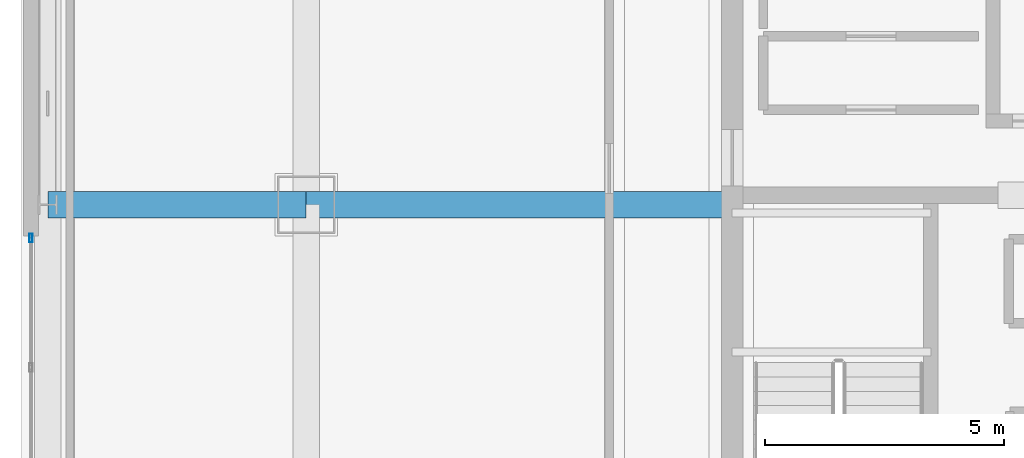
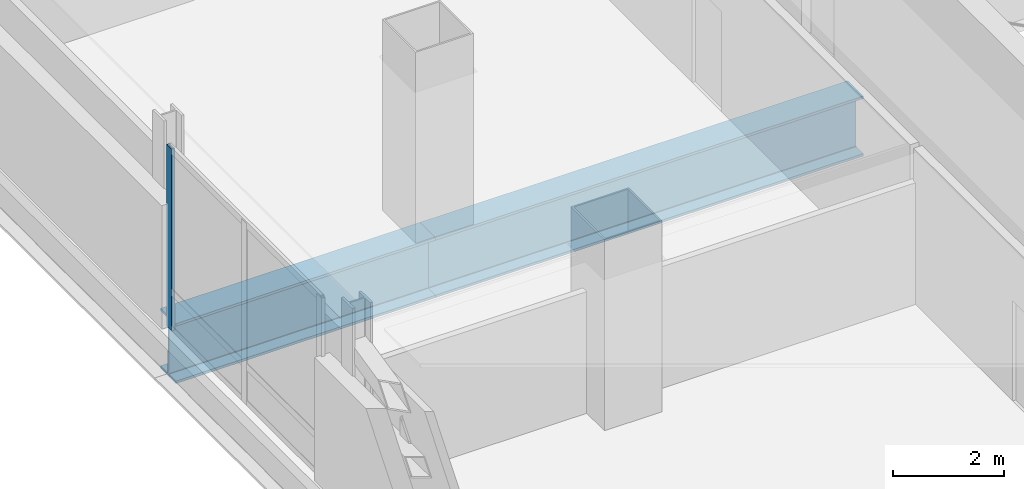
# One storey, part 5 of 28: 2 beams, 1 member, 1 element without a shape of its own.
"""IFC4 building model written with IfcOpenShell, lengths in metres."""

from ifc_helpers import new_model, si_unit, direction, frame, origin, origin_2d, place, context, subcontext, project, spatial, hollow_rectangle, i_section, extrude, material, material_profile, profile_set, type_object, element, aggregate, save


model = new_model("IFC4")

# Units and contexts
model_context = context("Model", 3, precision=1e-05, world=origin(), true_north=direction((0.0, 1.0)))
body_context = subcontext(model_context, "Body", "Model", "MODEL_VIEW")
ifc_project = project(units=[si_unit("LENGTHUNIT", "METRE"), si_unit("AREAUNIT", "SQUARE_METRE"), si_unit("VOLUMEUNIT", "CUBIC_METRE"), si_unit("PLANEANGLEUNIT", "RADIAN"), si_unit("MASSUNIT", "GRAM", prefix="KILO")], contexts=[model_context])

# Site, building, storey
site_placement = place(None, origin())
site = spatial("IfcSite", under=ifc_project, at=site_placement, CompositionType="ELEMENT")
building_placement = place(site_placement, origin())
building = spatial("IfcBuilding", under=site, at=building_placement, Name="Punatoya Terracotta Tower", CompositionType="ELEMENT")
storey_placement = place(building_placement, frame((0.0, 0.0, 317.39990234375)))
storey = spatial("IfcBuildingStorey", under=building, at=storey_placement, Name="L75", CompositionType="ELEMENT", Elevation=317.39990234375)

# Beams
ifc_material_1 = material(Name="Steel S460", Category="steel")
ifc_material_profile_1 = material_profile(ifc_material_1, i_section(OverallWidth=0.56005859375, OverallDepth=1.320068359375, WebThickness=0.035888671875, FlangeThickness=0.054931640625, FilletRadius=0.01806640625, at=origin_2d()))
ifc_profile_set_1 = profile_set([ifc_material_profile_1], Name="Steel S460")
beam_type = type_object("IfcBeamType", Name="BM-TG-BLK", PredefinedType="BEAM", material=ifc_profile_set_1)
beam_1_placement = place(storey_placement, frame((-19.10009765625, 3.39990234375, -0.93994140625), z_axis=(1.0, 0.0, 0.0), x_axis=(0.0, 1.0, 0.0)))
element("IfcBeam", 1, at=beam_1_placement, inside=storey, type_object=beam_type, Name="BM-L75-PR-WE", PredefinedType="BEAM", context=body_context, shape_type="SweptSolid", body=[
    extrude(i_section(OverallWidth=0.56005859375, OverallDepth=1.320068359375, WebThickness=0.035888671875, FlangeThickness=0.054931640625, FilletRadius=0.01806640625, at=origin_2d()), origin(), (0.0, 0.0, 1.0), 8.900146484375),
])
beam_2_placement = place(storey_placement, frame((-24.5, 3.39990234375, -0.93994140625), z_axis=(1.0, 0.0, 0.0), x_axis=(0.0, 1.0, 0.0)))
element("IfcBeam", 2, at=beam_2_placement, inside=storey, type_object=beam_type, Name="BM-L75-CANT-W3", PredefinedType="BEAM", context=body_context, shape_type="SweptSolid", body=[
    extrude(i_section(OverallWidth=0.56005859375, OverallDepth=1.320068359375, WebThickness=0.035888671875, FlangeThickness=0.054931640625, FilletRadius=0.01806640625, at=origin_2d()), origin(), (0.0, 0.0, 1.0), 5.39990234375),
])

# Curtain wall, member
ifc_material_2 = material(Name="Aluminium 6063-T6 + Double Low-E Glass", Category="aluminium")
curtain_wall_type = type_object("IfcCurtainWallType", Name="CW-OBS", PredefinedType="NOTDEFINED", material=ifc_material_2)
curtain_wall_placement = place(storey_placement, origin())
curtain_wall = element("IfcCurtainWall", 3, at=curtain_wall_placement, inside=storey, type_object=curtain_wall_type, Name="L75 Curtain Wall CW-L75-W13-1", PredefinedType="NOTDEFINED")
ifc_material_3 = material(Name="Aluminium 6063-T6", Category="aluminium")
ifc_material_profile_2 = material_profile(ifc_material_3, hollow_rectangle(XDim=0.070068359375, YDim=0.179931640625, WallThickness=0.00390625, at=origin_2d()))
ifc_profile_set_2 = profile_set([ifc_material_profile_2], Name="Aluminium 6063-T6")
member_type = type_object("IfcMemberType", Name="CW-MUL-M3", PredefinedType="MULLION", material=ifc_profile_set_2)
member_placement = place(storey_placement, frame((-24.85009765625, 2.705078125, 0.0), z_axis=(0.0, 0.0, 1.0), x_axis=(1.0, 0.0, 0.0)))
member = element("IfcMember", 4, at=member_placement, type_object=member_type, Name="CW-L75-W13-1 Mullion 00", PredefinedType="MULLION", context=body_context, shape_type="SweptSolid", body=[
    extrude(hollow_rectangle(XDim=0.070068359375, YDim=0.179931640625, WallThickness=0.00390625, at=origin_2d()), origin(), (0.0, 0.0, 1.0), 4.0),
])
aggregate(curtain_wall, [member])

save(model, "model.ifc")
